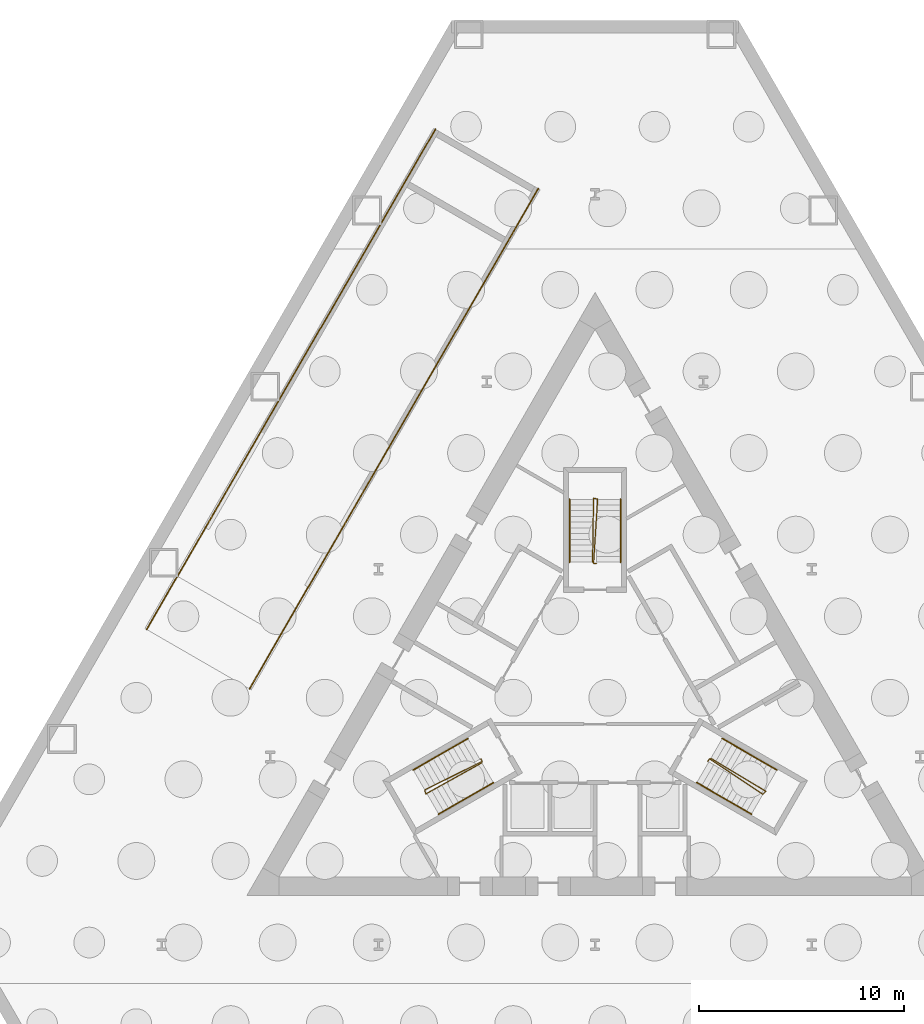
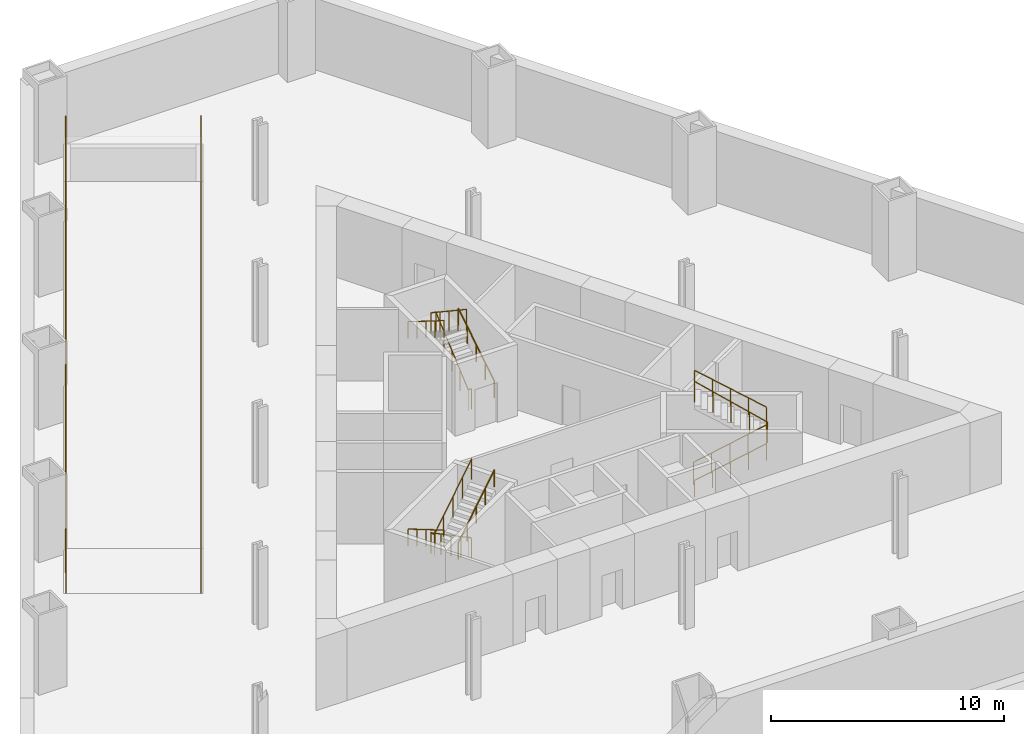
# One storey, part 5 of 6: 11 railings.
"""IFC4 building model written with IfcOpenShell, lengths in metres."""

from ifc_helpers import new_model, si_unit, direction, frame, origin, origin_2d, place, context, subcontext, project, spatial, circle, extrude, material, type_object, element, save


model = new_model("IFC4")

# Units and contexts
model_context = context("Model", 3, precision=1e-05, world=origin(), true_north=direction((0.0, 1.0)))
body_context = subcontext(model_context, "Body", "Model", "MODEL_VIEW")
ifc_project = project(units=[si_unit("LENGTHUNIT", "METRE"), si_unit("AREAUNIT", "SQUARE_METRE"), si_unit("VOLUMEUNIT", "CUBIC_METRE"), si_unit("PLANEANGLEUNIT", "RADIAN"), si_unit("MASSUNIT", "GRAM", prefix="KILO")], contexts=[model_context])

# Site, building, storey
site_placement = place(None, origin())
site = spatial("IfcSite", under=ifc_project, at=site_placement, CompositionType="ELEMENT")
building_placement = place(site_placement, origin())
building = spatial("IfcBuilding", under=site, at=building_placement, Name="Cormorant Prow Tower", CompositionType="ELEMENT")
storey_placement = place(building_placement, frame((0.0, 0.0, -8.39990234375)))
storey = spatial("IfcBuildingStorey", under=building, at=storey_placement, Name="B2", CompositionType="ELEMENT", Elevation=-8.39990234375)

# Railings
ifc_material_1 = material(Name="Stainless steel", Category="steel")
railing_type_1 = type_object("IfcRailingType", Name="Ramp edge guard 1100", PredefinedType="GUARDRAIL", material=ifc_material_1)
railing_1_placement = place(storey_placement, frame((-2.77392578125, 24.695556640625, 4.199951171875)))
element("IfcRailing", 1, at=railing_1_placement, inside=storey, type_object=railing_type_1, Name="Vehicle ramp 3 inner guard", PredefinedType="GUARDRAIL", context=body_context, shape_type="SweptSolid", body=[
    extrude(circle(Radius=0.02392578125, at=origin_2d()), frame((0.0, 0.0, 1.076171875), z_axis=(-0.498263119989, -0.863039733548, -0.083043853331), x_axis=(0.866031096941, -0.499990139034, 0.0)), (0.0, 0.0, 1.0), 3.010498046875),
    extrude(circle(Radius=0.02392578125, at=origin_2d()), frame((-1.5, -2.59814453125, 0.826171875), z_axis=(-0.493190974729, -0.854246036928, -0.164396991576), x_axis=(0.866029005482, -0.499993761625, 0.0)), (0.0, 0.0, 1.0), 22.506103515625),
    extrude(circle(Radius=0.02392578125, at=origin_2d()), frame((-12.599853515625, -21.823974609375, -2.8740234375), z_axis=(-0.498297995635, -0.863019038338, -0.083049665939), x_axis=(0.866010750942, -0.50002537861, 0.0)), (0.0, 0.0, 1.0), 3.01025390625),
    extrude(circle(Radius=0.02099609375, at=origin_2d()), origin(), (0.0, 0.0, 1.0), 1.052001953125),
    extrude(circle(Radius=0.02099609375, at=origin_2d()), frame((-0.5, -0.865966796875, -0.083251953125)), (0.0, 0.0, 1.0), 1.052001953125),
    extrude(circle(Radius=0.02099609375, at=origin_2d()), frame((-1.0, -1.732177734375, -0.166748046875)), (0.0, 0.0, 1.0), 1.052001953125),
    extrude(circle(Radius=0.02099609375, at=origin_2d()), frame((-1.5, -2.59814453125, -0.25)), (0.0, 0.0, 1.0), 1.052001953125),
    extrude(circle(Radius=0.02099609375, at=origin_2d()), frame((-2.084228515625, -3.610107421875, -0.44482421875)), (0.0, 0.0, 1.0), 1.052001953125),
    extrude(circle(Radius=0.02099609375, at=origin_2d()), frame((-2.66845703125, -4.621826171875, -0.639404296875)), (0.0, 0.0, 1.0), 1.052001953125),
    extrude(circle(Radius=0.02099609375, at=origin_2d()), frame((-3.252685546875, -5.6337890625, -0.834228515625)), (0.0, 0.0, 1.0), 1.052001953125),
    extrude(circle(Radius=0.02099609375, at=origin_2d()), frame((-3.8369140625, -6.645751953125, -1.029052734375)), (0.0, 0.0, 1.0), 1.052001953125),
    extrude(circle(Radius=0.02099609375, at=origin_2d()), frame((-4.4208984375, -7.657470703125, -1.2236328125)), (0.0, 0.0, 1.0), 1.052001953125),
    extrude(circle(Radius=0.02099609375, at=origin_2d()), frame((-5.005126953125, -8.66943359375, -1.41845703125)), (0.0, 0.0, 1.0), 1.052001953125),
    extrude(circle(Radius=0.02099609375, at=origin_2d()), frame((-5.58935546875, -9.681396484375, -1.613037109375)), (0.0, 0.0, 1.0), 1.052001953125),
    extrude(circle(Radius=0.02099609375, at=origin_2d()), frame((-6.173583984375, -10.693115234375, -1.807861328125)), (0.0, 0.0, 1.0), 1.052001953125),
    extrude(circle(Radius=0.02099609375, at=origin_2d()), frame((-6.7578125, -11.705078125, -2.002685546875)), (0.0, 0.0, 1.0), 1.052001953125),
    extrude(circle(Radius=0.02099609375, at=origin_2d()), frame((-7.342041015625, -12.717041015625, -2.197265625)), (0.0, 0.0, 1.0), 1.052001953125),
    extrude(circle(Radius=0.02099609375, at=origin_2d()), frame((-7.92626953125, -13.72900390625, -2.39208984375)), (0.0, 0.0, 1.0), 1.052001953125),
    extrude(circle(Radius=0.02099609375, at=origin_2d()), frame((-8.510498046875, -14.74072265625, -2.5869140625)), (0.0, 0.0, 1.0), 1.052001953125),
    extrude(circle(Radius=0.02099609375, at=origin_2d()), frame((-9.0947265625, -15.752685546875, -2.781494140625)), (0.0, 0.0, 1.0), 1.052001953125),
    extrude(circle(Radius=0.02099609375, at=origin_2d()), frame((-9.678955078125, -16.7646484375, -2.976318359375)), (0.0, 0.0, 1.0), 1.052001953125),
    extrude(circle(Radius=0.02099609375, at=origin_2d()), frame((-10.262939453125, -17.7763671875, -3.1708984375)), (0.0, 0.0, 1.0), 1.052001953125),
    extrude(circle(Radius=0.02099609375, at=origin_2d()), frame((-10.84716796875, -18.788330078125, -3.36572265625)), (0.0, 0.0, 1.0), 1.052001953125),
    extrude(circle(Radius=0.02099609375, at=origin_2d()), frame((-11.431396484375, -19.80029296875, -3.560546875)), (0.0, 0.0, 1.0), 1.052001953125),
    extrude(circle(Radius=0.02099609375, at=origin_2d()), frame((-12.015625, -20.81201171875, -3.755126953125)), (0.0, 0.0, 1.0), 1.052001953125),
    extrude(circle(Radius=0.02099609375, at=origin_2d()), frame((-12.599853515625, -21.823974609375, -3.949951171875)), (0.0, 0.0, 1.0), 1.052001953125),
    extrude(circle(Radius=0.02099609375, at=origin_2d()), frame((-13.099853515625, -22.68994140625, -4.033203125)), (0.0, 0.0, 1.0), 1.052001953125),
    extrude(circle(Radius=0.02099609375, at=origin_2d()), frame((-13.599853515625, -23.555908203125, -4.11669921875)), (0.0, 0.0, 1.0), 1.052001953125),
    extrude(circle(Radius=0.02099609375, at=origin_2d()), frame((-14.099853515625, -24.421875, -4.199951171875)), (0.0, 0.0, 1.0), 1.052001953125),
])
railing_2_placement = place(storey_placement, frame((-7.796875, 27.595458984375, 4.199951171875)))
element("IfcRailing", 2, at=railing_2_placement, inside=storey, type_object=railing_type_1, Name="Vehicle ramp 3 outer guard", PredefinedType="GUARDRAIL", context=body_context, shape_type="SweptSolid", body=[
    extrude(circle(Radius=0.02392578125, at=origin_2d()), frame((0.0, 0.0, 1.076171875), z_axis=(-0.498263119989, -0.863039733548, -0.083043853331), x_axis=(0.866031096941, -0.499990139034, 0.0)), (0.0, 0.0, 1.0), 3.010498046875),
    extrude(circle(Radius=0.02392578125, at=origin_2d()), frame((-1.5, -2.59814453125, 0.826171875), z_axis=(-0.493195544972, -0.854243105146, -0.164398514991), x_axis=(0.866026256178, -0.499998523609, 0.0)), (0.0, 0.0, 1.0), 22.506103515625),
    extrude(circle(Radius=0.02392578125, at=origin_2d()), frame((-12.599853515625, -21.82373046875, -2.8740234375), z_axis=(-0.498263119989, -0.863039733548, -0.083043853331), x_axis=(0.866031096941, -0.499990139034, 0.0)), (0.0, 0.0, 1.0), 3.010498046875),
    extrude(circle(Radius=0.02099609375, at=origin_2d()), origin(), (0.0, 0.0, 1.0), 1.052001953125),
    extrude(circle(Radius=0.02099609375, at=origin_2d()), frame((-0.5, -0.865966796875, -0.083251953125)), (0.0, 0.0, 1.0), 1.052001953125),
    extrude(circle(Radius=0.02099609375, at=origin_2d()), frame((-1.0, -1.732177734375, -0.166748046875)), (0.0, 0.0, 1.0), 1.052001953125),
    extrude(circle(Radius=0.02099609375, at=origin_2d()), frame((-1.5, -2.59814453125, -0.25)), (0.0, 0.0, 1.0), 1.052001953125),
    extrude(circle(Radius=0.02099609375, at=origin_2d()), frame((-2.084228515625, -3.610107421875, -0.44482421875)), (0.0, 0.0, 1.0), 1.052001953125),
    extrude(circle(Radius=0.02099609375, at=origin_2d()), frame((-2.66845703125, -4.621826171875, -0.639404296875)), (0.0, 0.0, 1.0), 1.052001953125),
    extrude(circle(Radius=0.02099609375, at=origin_2d()), frame((-3.252685546875, -5.6337890625, -0.834228515625)), (0.0, 0.0, 1.0), 1.052001953125),
    extrude(circle(Radius=0.02099609375, at=origin_2d()), frame((-3.8369140625, -6.645751953125, -1.029052734375)), (0.0, 0.0, 1.0), 1.052001953125),
    extrude(circle(Radius=0.02099609375, at=origin_2d()), frame((-4.4208984375, -7.657470703125, -1.2236328125)), (0.0, 0.0, 1.0), 1.052001953125),
    extrude(circle(Radius=0.02099609375, at=origin_2d()), frame((-5.005126953125, -8.66943359375, -1.41845703125)), (0.0, 0.0, 1.0), 1.052001953125),
    extrude(circle(Radius=0.02099609375, at=origin_2d()), frame((-5.58935546875, -9.68115234375, -1.613037109375)), (0.0, 0.0, 1.0), 1.052001953125),
    extrude(circle(Radius=0.02099609375, at=origin_2d()), frame((-6.173583984375, -10.693115234375, -1.807861328125)), (0.0, 0.0, 1.0), 1.052001953125),
    extrude(circle(Radius=0.02099609375, at=origin_2d()), frame((-6.7578125, -11.705078125, -2.002685546875)), (0.0, 0.0, 1.0), 1.052001953125),
    extrude(circle(Radius=0.02099609375, at=origin_2d()), frame((-7.342041015625, -12.716796875, -2.197265625)), (0.0, 0.0, 1.0), 1.052001953125),
    extrude(circle(Radius=0.02099609375, at=origin_2d()), frame((-7.92626953125, -13.728759765625, -2.39208984375)), (0.0, 0.0, 1.0), 1.052001953125),
    extrude(circle(Radius=0.02099609375, at=origin_2d()), frame((-8.510498046875, -14.74072265625, -2.5869140625)), (0.0, 0.0, 1.0), 1.052001953125),
    extrude(circle(Radius=0.02099609375, at=origin_2d()), frame((-9.0947265625, -15.75244140625, -2.781494140625)), (0.0, 0.0, 1.0), 1.052001953125),
    extrude(circle(Radius=0.02099609375, at=origin_2d()), frame((-9.678955078125, -16.764404296875, -2.976318359375)), (0.0, 0.0, 1.0), 1.052001953125),
    extrude(circle(Radius=0.02099609375, at=origin_2d()), frame((-10.262939453125, -17.776123046875, -3.1708984375)), (0.0, 0.0, 1.0), 1.052001953125),
    extrude(circle(Radius=0.02099609375, at=origin_2d()), frame((-10.84716796875, -18.7880859375, -3.36572265625)), (0.0, 0.0, 1.0), 1.052001953125),
    extrude(circle(Radius=0.02099609375, at=origin_2d()), frame((-11.431396484375, -19.800048828125, -3.560546875)), (0.0, 0.0, 1.0), 1.052001953125),
    extrude(circle(Radius=0.02099609375, at=origin_2d()), frame((-12.015625, -20.811767578125, -3.755126953125)), (0.0, 0.0, 1.0), 1.052001953125),
    extrude(circle(Radius=0.02099609375, at=origin_2d()), frame((-12.599853515625, -21.82373046875, -3.949951171875)), (0.0, 0.0, 1.0), 1.052001953125),
    extrude(circle(Radius=0.02099609375, at=origin_2d()), frame((-13.099853515625, -22.689697265625, -4.033203125)), (0.0, 0.0, 1.0), 1.052001953125),
    extrude(circle(Radius=0.02099609375, at=origin_2d()), frame((-13.599853515625, -23.555908203125, -4.11669921875)), (0.0, 0.0, 1.0), 1.052001953125),
    extrude(circle(Radius=0.02099609375, at=origin_2d()), frame((-14.099853515625, -24.421875, -4.199951171875)), (0.0, 0.0, 1.0), 1.052001953125),
])
ifc_material_2 = material(Name="Stainless steel", Category="steel")
railing_type_2 = type_object("IfcRailingType", Name="Stair guard 1100", PredefinedType="GUARDRAIL", material=ifc_material_2)
railing_3_placement = place(storey_placement, frame((-5.585205078125, -3.137939453125, 0.0)))
element("IfcRailing", 3, at=railing_3_placement, inside=storey, type_object=railing_type_2, Name="B2 ST1 stair guard 1", PredefinedType="GUARDRAIL", context=body_context, shape_type="SweptSolid", body=[
    extrude(circle(Radius=0.02392578125, at=origin_2d()), frame((0.0, 0.0, 1.076171875), z_axis=(0.501036270542, -0.865426285481, 0.0), x_axis=(0.865426285481, 0.501036270542, 0.0)), (0.0, 0.0, 1.0), 0.150146484375),
    extrude(circle(Radius=0.02392578125, at=origin_2d()), frame((0.0751953125, -0.1298828125, 1.076171875), z_axis=(-0.744670798681, -0.368745611333, 0.556320119817), x_axis=(0.443754251299, -0.896148516963, 0.0)), (0.0, 0.0, 1.0), 3.774658203125),
    extrude(circle(Radius=0.02392578125, at=origin_2d()), frame((-2.735595703125, -1.521728515625, 3.17578125), z_axis=(0.274721127897, -0.961523947641, 0.0), x_axis=(0.961523947641, 0.274721127897, 0.0)), (0.0, 0.0, 1.0), 0.2060546875),
    extrude(circle(Radius=0.02392578125, at=origin_2d()), frame((-2.678955078125, -1.719970703125, 3.17578125), z_axis=(0.725738344322, 0.403670096391, 0.557094524171), x_axis=(-0.486086505765, 0.873910698477, 0.0)), (0.0, 0.0, 1.0), 3.769775390625),
    extrude(circle(Radius=0.02099609375, at=origin_2d()), origin(), (0.0, 0.0, 1.0), 1.052001953125),
    extrude(circle(Radius=0.02099609375, at=origin_2d()), frame((0.0751953125, -0.1298828125, 0.0)), (0.0, 0.0, 1.0), 1.052001953125),
    extrude(circle(Radius=0.02099609375, at=origin_2d()), frame((-0.62744140625, -0.477783203125, 0.52490234375)), (0.0, 0.0, 1.0), 1.052001953125),
    extrude(circle(Radius=0.02099609375, at=origin_2d()), frame((-1.330078125, -0.82568359375, 1.0498046875)), (0.0, 0.0, 1.0), 1.052001953125),
    extrude(circle(Radius=0.02099609375, at=origin_2d()), frame((-2.032958984375, -1.173828125, 1.574951171875)), (0.0, 0.0, 1.0), 1.052001953125),
    extrude(circle(Radius=0.02099609375, at=origin_2d()), frame((-2.735595703125, -1.521728515625, 2.099853515625)), (0.0, 0.0, 1.0), 1.052001953125),
    extrude(circle(Radius=0.02099609375, at=origin_2d()), frame((-2.678955078125, -1.719970703125, 2.099853515625)), (0.0, 0.0, 1.0), 1.052001953125),
    extrude(circle(Radius=0.02099609375, at=origin_2d()), frame((-1.9951171875, -1.339599609375, 2.625)), (0.0, 0.0, 1.0), 1.052001953125),
    extrude(circle(Radius=0.02099609375, at=origin_2d()), frame((-1.31103515625, -0.958984375, 3.14990234375)), (0.0, 0.0, 1.0), 1.052001953125),
    extrude(circle(Radius=0.02099609375, at=origin_2d()), frame((-0.626953125, -0.57861328125, 3.6748046875)), (0.0, 0.0, 1.0), 1.052001953125),
    extrude(circle(Radius=0.02099609375, at=origin_2d()), frame((0.056884765625, -0.1982421875, 4.199951171875)), (0.0, 0.0, 1.0), 1.052001953125),
])
railing_4_placement = place(storey_placement, frame((5.510009765625, -3.267822265625, 0.0)))
element("IfcRailing", 4, at=railing_4_placement, inside=storey, type_object=railing_type_2, Name="B2 ST2 stair guard 1", PredefinedType="GUARDRAIL", context=body_context, shape_type="SweptSolid", body=[
    extrude(circle(Radius=0.02392578125, at=origin_2d()), frame((0.0, 0.0, 1.076171875), z_axis=(0.501036270542, 0.865426285481, 0.0), x_axis=(-0.865426285481, 0.501036270542, 0.0)), (0.0, 0.0, 1.0), 0.150146484375),
    extrude(circle(Radius=0.02392578125, at=origin_2d()), frame((0.0751953125, 0.1298828125, 1.076171875), z_axis=(0.691655524431, -0.460543096787, 0.55633864824), x_axis=(0.554233058506, 0.832361530141, 0.0)), (0.0, 0.0, 1.0), 3.7744140625),
    extrude(circle(Radius=0.02392578125, at=origin_2d()), frame((2.685791015625, -1.6083984375, 3.17578125), z_axis=(0.695164929852, 0.718850276695, 0.0), x_axis=(-0.718850276695, 0.695164929852, 0.0)), (0.0, 0.0, 1.0), 0.2060546875),
    extrude(circle(Radius=0.02392578125, at=origin_2d()), frame((2.8291015625, -1.460205078125, 3.17578125), z_axis=(-0.712463317363, 0.426661970256, 0.557095669117), x_axis=(-0.513773053629, -0.857926132814, 0.0)), (0.0, 0.0, 1.0), 3.769775390625),
    extrude(circle(Radius=0.02099609375, at=origin_2d()), origin(), (0.0, 0.0, 1.0), 1.052001953125),
    extrude(circle(Radius=0.02099609375, at=origin_2d()), frame((0.0751953125, 0.1298828125, 0.0)), (0.0, 0.0, 1.0), 1.052001953125),
    extrude(circle(Radius=0.02099609375, at=origin_2d()), frame((0.727783203125, -0.3046875, 0.52490234375)), (0.0, 0.0, 1.0), 1.052001953125),
    extrude(circle(Radius=0.02099609375, at=origin_2d()), frame((1.38037109375, -0.7392578125, 1.0498046875)), (0.0, 0.0, 1.0), 1.052001953125),
    extrude(circle(Radius=0.02099609375, at=origin_2d()), frame((2.033203125, -1.173828125, 1.574951171875)), (0.0, 0.0, 1.0), 1.052001953125),
    extrude(circle(Radius=0.02099609375, at=origin_2d()), frame((2.685791015625, -1.6083984375, 2.099853515625)), (0.0, 0.0, 1.0), 1.052001953125),
    extrude(circle(Radius=0.02099609375, at=origin_2d()), frame((2.8291015625, -1.460205078125, 2.099853515625)), (0.0, 0.0, 1.0), 1.052001953125),
    extrude(circle(Radius=0.02099609375, at=origin_2d()), frame((2.15771484375, -1.05810546875, 2.625)), (0.0, 0.0, 1.0), 1.052001953125),
    extrude(circle(Radius=0.02099609375, at=origin_2d()), frame((1.486328125, -0.656005859375, 3.14990234375)), (0.0, 0.0, 1.0), 1.052001953125),
    extrude(circle(Radius=0.02099609375, at=origin_2d()), frame((0.814697265625, -0.25390625, 3.6748046875)), (0.0, 0.0, 1.0), 1.052001953125),
    extrude(circle(Radius=0.02099609375, at=origin_2d()), frame((0.143310546875, 0.148193359375, 4.199951171875)), (0.0, 0.0, 1.0), 1.052001953125),
])
railing_5_placement = place(storey_placement, frame((0.074951171875, 6.40576171875, 0.0)))
element("IfcRailing", 5, at=railing_5_placement, inside=storey, type_object=railing_type_2, Name="B2 ST3 stair guard 1", PredefinedType="GUARDRAIL", context=body_context, shape_type="SweptSolid", body=[
    extrude(circle(Radius=0.02392578125, at=origin_2d()), frame((0.0, 0.0, 1.076171875), z_axis=(-1.0, 0.0, 0.0), x_axis=(0.0, -1.0, 0.0)), (0.0, 0.0, 1.0), 0.14990234375),
    extrude(circle(Radius=0.02392578125, at=origin_2d()), frame((-0.14990234375, 0.0, 1.076171875), z_axis=(0.052973824345, 0.829276437025, 0.556322177276), x_axis=(-0.997965923181, 0.063749636618, 0.0)), (0.0, 0.0, 1.0), 3.7744140625),
    extrude(circle(Radius=0.02392578125, at=origin_2d()), frame((0.050048828125, 3.130126953125, 3.17578125), z_axis=(-0.970072785993, 0.242814311512, 0.0), x_axis=(-0.242814311512, -0.970072785993, 0.0)), (0.0, 0.0, 1.0), 0.2060546875),
    extrude(circle(Radius=0.02392578125, at=origin_2d()), frame((-0.14990234375, 3.18017578125, 3.17578125), z_axis=(-0.013276620939, -0.830339302729, 0.557099967403), x_axis=(0.999872194171, -0.015987348866, 0.0)), (0.0, 0.0, 1.0), 3.769775390625),
    extrude(circle(Radius=0.02099609375, at=origin_2d()), origin(), (0.0, 0.0, 1.0), 1.052001953125),
    extrude(circle(Radius=0.02099609375, at=origin_2d()), frame((-0.14990234375, 0.0, 0.0)), (0.0, 0.0, 1.0), 1.052001953125),
    extrude(circle(Radius=0.02099609375, at=origin_2d()), frame((-0.099853515625, 0.782470703125, 0.52490234375)), (0.0, 0.0, 1.0), 1.052001953125),
    extrude(circle(Radius=0.02099609375, at=origin_2d()), frame((-0.0498046875, 1.56494140625, 1.0498046875)), (0.0, 0.0, 1.0), 1.052001953125),
    extrude(circle(Radius=0.02099609375, at=origin_2d()), frame((0.0, 2.34765625, 1.574951171875)), (0.0, 0.0, 1.0), 1.052001953125),
    extrude(circle(Radius=0.02099609375, at=origin_2d()), frame((0.050048828125, 3.130126953125, 2.099853515625)), (0.0, 0.0, 1.0), 1.052001953125),
    extrude(circle(Radius=0.02099609375, at=origin_2d()), frame((-0.14990234375, 3.18017578125, 2.099853515625)), (0.0, 0.0, 1.0), 1.052001953125),
    extrude(circle(Radius=0.02099609375, at=origin_2d()), frame((-0.162353515625, 2.397705078125, 2.625)), (0.0, 0.0, 1.0), 1.052001953125),
    extrude(circle(Radius=0.02099609375, at=origin_2d()), frame((-0.1748046875, 1.615234375, 3.14990234375)), (0.0, 0.0, 1.0), 1.052001953125),
    extrude(circle(Radius=0.02099609375, at=origin_2d()), frame((-0.1875, 0.83251953125, 3.6748046875)), (0.0, 0.0, 1.0), 1.052001953125),
    extrude(circle(Radius=0.02099609375, at=origin_2d()), frame((-0.199951171875, 0.050048828125, 4.199951171875)), (0.0, 0.0, 1.0), 1.052001953125),
])
ifc_material_3 = material(Name="Stainless steel", Category="steel")
railing_type_3 = type_object("IfcRailingType", Name="Stair handrail 900", PredefinedType="HANDRAIL", material=ifc_material_3)
railing_6_placement = place(storey_placement, frame((-6.212890625, -2.150634765625, 0.1748046875)))
element("IfcRailing", 6, at=railing_6_placement, inside=storey, type_object=railing_type_3, Name="B2 ST1 stair handrail 1", PredefinedType="HANDRAIL", context=body_context, shape_type="SweptSolid", body=[
    extrude(circle(Radius=0.02392578125, at=origin_2d()), frame((0.0, 0.0, 0.8759765625), z_axis=(-0.734394994316, -0.423994474112, 0.52999309264), x_axis=(0.499992328818, -0.866029832698, 0.0)), (0.0, 0.0, 1.0), 3.63232421875),
    extrude(circle(Radius=0.02099609375, at=origin_2d()), origin(), (0.0, 0.0, 1.0), 0.851806640625),
    extrude(circle(Radius=0.02099609375, at=origin_2d()), frame((-0.6669921875, -0.385009765625, 0.481201171875)), (0.0, 0.0, 1.0), 0.851806640625),
    extrude(circle(Radius=0.02099609375, at=origin_2d()), frame((-1.333740234375, -0.77001953125, 0.96240234375)), (0.0, 0.0, 1.0), 0.851806640625),
    extrude(circle(Radius=0.02099609375, at=origin_2d()), frame((-2.00048828125, -1.155029296875, 1.44384765625)), (0.0, 0.0, 1.0), 0.851806640625),
    extrude(circle(Radius=0.02099609375, at=origin_2d()), frame((-2.66748046875, -1.5400390625, 1.925048828125)), (0.0, 0.0, 1.0), 0.851806640625),
])
railing_7_placement = place(storey_placement, frame((-7.63623046875, -5.84521484375, 2.27490234375)))
element("IfcRailing", 7, at=railing_7_placement, inside=storey, type_object=railing_type_3, Name="B2 ST1 stair handrail 2", PredefinedType="HANDRAIL", context=body_context, shape_type="SweptSolid", body=[
    extrude(circle(Radius=0.02392578125, at=origin_2d()), frame((0.0, 0.0, 0.8759765625), z_axis=(0.734364028329, 0.424015404183, 0.530019255228), x_axis=(-0.500026652407, 0.866010015463, 0.0)), (0.0, 0.0, 1.0), 3.632080078125),
    extrude(circle(Radius=0.02099609375, at=origin_2d()), origin(), (0.0, 0.0, 1.0), 0.851806640625),
    extrude(circle(Radius=0.02099609375, at=origin_2d()), frame((0.666748046875, 0.385009765625, 0.481201171875)), (0.0, 0.0, 1.0), 0.851806640625),
    extrude(circle(Radius=0.02099609375, at=origin_2d()), frame((1.33349609375, 0.77001953125, 0.96240234375)), (0.0, 0.0, 1.0), 0.851806640625),
    extrude(circle(Radius=0.02099609375, at=origin_2d()), frame((2.00048828125, 1.155029296875, 1.44384765625)), (0.0, 0.0, 1.0), 0.851806640625),
    extrude(circle(Radius=0.02099609375, at=origin_2d()), frame((2.667236328125, 1.5400390625, 1.925048828125)), (0.0, 0.0, 1.0), 0.851806640625),
])
railing_8_placement = place(storey_placement, frame((4.968994140625, -4.30517578125, 0.1748046875)))
element("IfcRailing", 8, at=railing_8_placement, inside=storey, type_object=railing_type_3, Name="B2 ST2 stair handrail 1", PredefinedType="HANDRAIL", context=body_context, shape_type="SweptSolid", body=[
    extrude(circle(Radius=0.02392578125, at=origin_2d()), frame((0.0, 0.0, 0.8759765625), z_axis=(0.734364028329, -0.424015404183, 0.530019255228), x_axis=(0.500026652407, 0.866010015463, 0.0)), (0.0, 0.0, 1.0), 3.632080078125),
    extrude(circle(Radius=0.02099609375, at=origin_2d()), origin(), (0.0, 0.0, 1.0), 0.851806640625),
    extrude(circle(Radius=0.02099609375, at=origin_2d()), frame((0.666748046875, -0.385009765625, 0.481201171875)), (0.0, 0.0, 1.0), 0.851806640625),
    extrude(circle(Radius=0.02099609375, at=origin_2d()), frame((1.33349609375, -0.77001953125, 0.96240234375)), (0.0, 0.0, 1.0), 0.851806640625),
    extrude(circle(Radius=0.02099609375, at=origin_2d()), frame((2.00048828125, -1.155029296875, 1.44384765625)), (0.0, 0.0, 1.0), 0.851806640625),
    extrude(circle(Radius=0.02099609375, at=origin_2d()), frame((2.667236328125, -1.5400390625, 1.925048828125)), (0.0, 0.0, 1.0), 0.851806640625),
])
railing_9_placement = place(storey_placement, frame((8.88037109375, -3.690673828125, 2.27490234375)))
element("IfcRailing", 9, at=railing_9_placement, inside=storey, type_object=railing_type_3, Name="B2 ST2 stair handrail 2", PredefinedType="HANDRAIL", context=body_context, shape_type="SweptSolid", body=[
    extrude(circle(Radius=0.02392578125, at=origin_2d()), frame((0.0, 0.0, 0.8759765625), z_axis=(-0.734394994316, 0.423994474112, 0.52999309264), x_axis=(-0.499992328818, -0.866029832698, 0.0)), (0.0, 0.0, 1.0), 3.63232421875),
    extrude(circle(Radius=0.02099609375, at=origin_2d()), origin(), (0.0, 0.0, 1.0), 0.851806640625),
    extrude(circle(Radius=0.02099609375, at=origin_2d()), frame((-0.6669921875, 0.385009765625, 0.481201171875)), (0.0, 0.0, 1.0), 0.851806640625),
    extrude(circle(Radius=0.02099609375, at=origin_2d()), frame((-1.333740234375, 0.77001953125, 0.96240234375)), (0.0, 0.0, 1.0), 0.851806640625),
    extrude(circle(Radius=0.02099609375, at=origin_2d()), frame((-2.00048828125, 1.155029296875, 1.44384765625)), (0.0, 0.0, 1.0), 0.851806640625),
    extrude(circle(Radius=0.02099609375, at=origin_2d()), frame((-2.66748046875, 1.5400390625, 1.925048828125)), (0.0, 0.0, 1.0), 0.851806640625),
])
railing_10_placement = place(storey_placement, frame((1.243896484375, 6.455810546875, 0.1748046875)))
element("IfcRailing", 10, at=railing_10_placement, inside=storey, type_object=railing_type_3, Name="B2 ST3 stair handrail 1", PredefinedType="HANDRAIL", context=body_context, shape_type="SweptSolid", body=[
    extrude(circle(Radius=0.02392578125, at=origin_2d()), frame((0.0, 0.0, 0.8759765625), z_axis=(0.0, 0.847998304005, 0.529998940003), x_axis=(-1.0, 0.0, 0.0)), (0.0, 0.0, 1.0), 3.632080078125),
    extrude(circle(Radius=0.02099609375, at=origin_2d()), origin(), (0.0, 0.0, 1.0), 0.851806640625),
    extrude(circle(Radius=0.02099609375, at=origin_2d()), frame((0.0, 0.77001953125, 0.481201171875)), (0.0, 0.0, 1.0), 0.851806640625),
    extrude(circle(Radius=0.02099609375, at=origin_2d()), frame((0.0, 1.5400390625, 0.96240234375)), (0.0, 0.0, 1.0), 0.851806640625),
    extrude(circle(Radius=0.02099609375, at=origin_2d()), frame((0.0, 2.31005859375, 1.44384765625)), (0.0, 0.0, 1.0), 0.851806640625),
    extrude(circle(Radius=0.02099609375, at=origin_2d()), frame((0.0, 3.080078125, 1.925048828125)), (0.0, 0.0, 1.0), 0.851806640625),
])
railing_11_placement = place(storey_placement, frame((-1.243896484375, 9.535888671875, 2.27490234375)))
element("IfcRailing", 11, at=railing_11_placement, inside=storey, type_object=railing_type_3, Name="B2 ST3 stair handrail 2", PredefinedType="HANDRAIL", context=body_context, shape_type="SweptSolid", body=[
    extrude(circle(Radius=0.02392578125, at=origin_2d()), frame((0.0, 0.0, 0.8759765625), z_axis=(0.0, -0.847998304005, 0.529998940003), x_axis=(1.0, 0.0, 0.0)), (0.0, 0.0, 1.0), 3.632080078125),
    extrude(circle(Radius=0.02099609375, at=origin_2d()), origin(), (0.0, 0.0, 1.0), 0.851806640625),
    extrude(circle(Radius=0.02099609375, at=origin_2d()), frame((0.0, -0.77001953125, 0.481201171875)), (0.0, 0.0, 1.0), 0.851806640625),
    extrude(circle(Radius=0.02099609375, at=origin_2d()), frame((0.0, -1.5400390625, 0.96240234375)), (0.0, 0.0, 1.0), 0.851806640625),
    extrude(circle(Radius=0.02099609375, at=origin_2d()), frame((0.0, -2.31005859375, 1.44384765625)), (0.0, 0.0, 1.0), 0.851806640625),
    extrude(circle(Radius=0.02099609375, at=origin_2d()), frame((0.0, -3.080078125, 1.925048828125)), (0.0, 0.0, 1.0), 0.851806640625),
])

save(model, "model.ifc")
